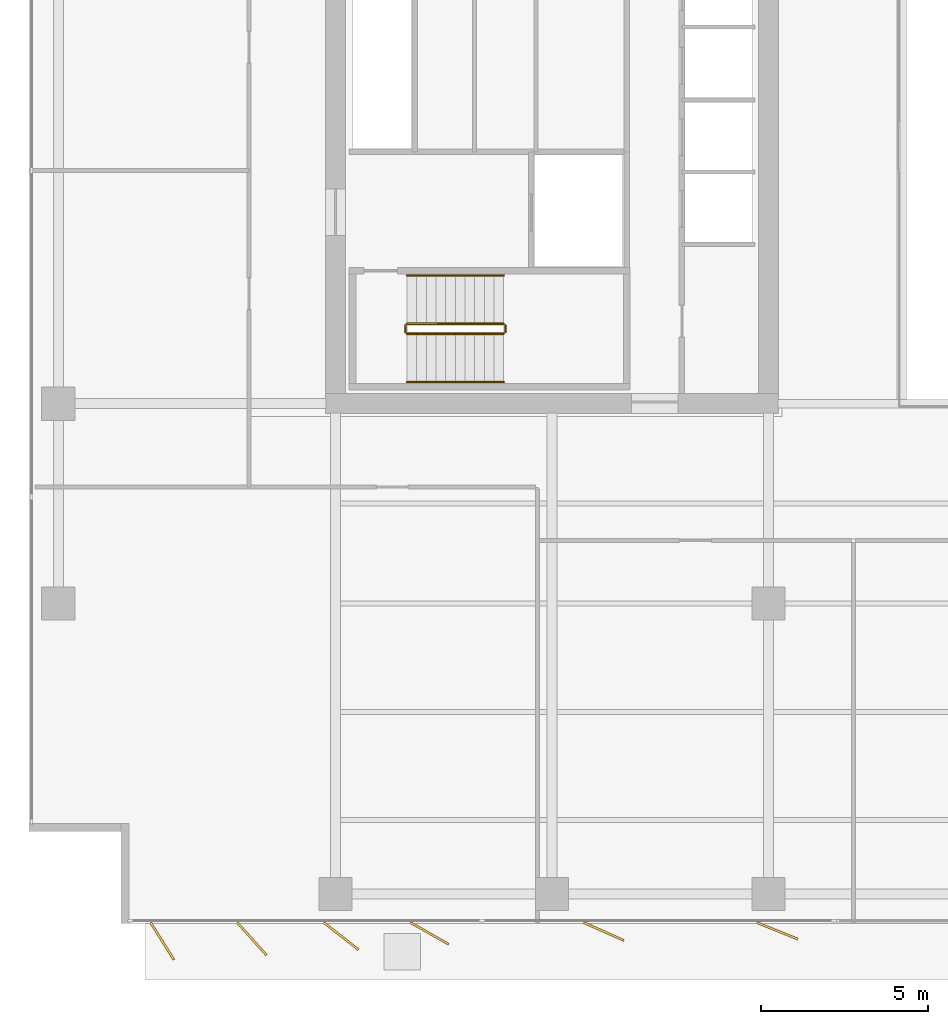
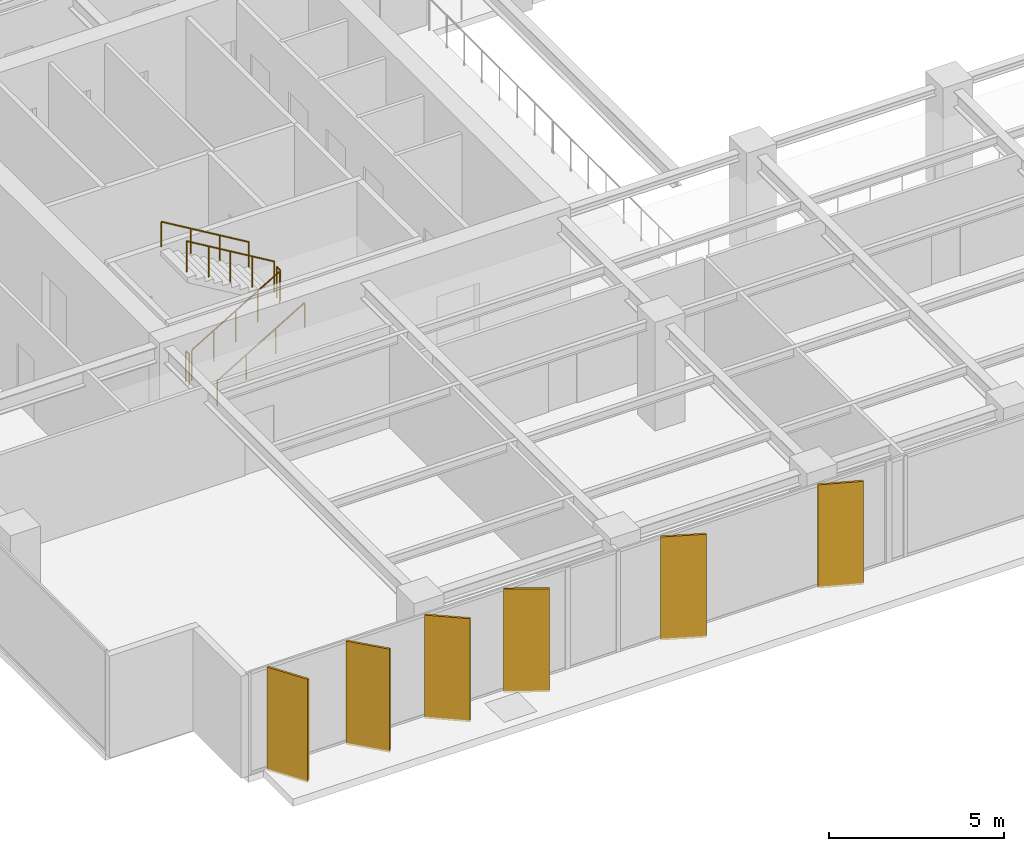
# One storey, part 19 of 22: 6 railings, 6 shading devices.
"""IFC4 building model written with IfcOpenShell, lengths in metres."""

from ifc_helpers import new_model, si_unit, direction, frame, origin, origin_2d, place, context, subcontext, project, spatial, rectangle, circle, extrude, material, layer, layer_set, type_object, element, save


model = new_model("IFC4")

# Units and contexts
model_context = context("Model", 3, precision=1e-05, world=origin(), true_north=direction((0.0, 1.0)))
body_context = subcontext(model_context, "Body", "Model", "MODEL_VIEW")
ifc_project = project(units=[si_unit("LENGTHUNIT", "METRE"), si_unit("AREAUNIT", "SQUARE_METRE"), si_unit("VOLUMEUNIT", "CUBIC_METRE"), si_unit("PLANEANGLEUNIT", "RADIAN"), si_unit("MASSUNIT", "GRAM", prefix="KILO")], contexts=[model_context])

# Site, building, storey
site_placement = place(None, origin())
site = spatial("IfcSite", under=ifc_project, at=site_placement, CompositionType="ELEMENT")
building_placement = place(site_placement, origin())
building = spatial("IfcBuilding", under=site, at=building_placement, Name="Putna Gate Headquarters", CompositionType="ELEMENT")
storey_placement = place(building_placement, frame((0.0, 0.0, 144.199951171875)))
storey = spatial("IfcBuildingStorey", under=building, at=storey_placement, Name="L35", CompositionType="ELEMENT", Elevation=144.199951171875)

# Railings
ifc_material_1 = material(Name="Powder-coated steel stair guardrail", Category="steel")
railing_type_1 = type_object("IfcRailingType", Name="RAIL-STAIR-GUARD-1100", PredefinedType="GUARDRAIL", material=ifc_material_1)
railing_1_placement = place(storey_placement, frame((15.14990234375, 21.10009765625, 0.1728515625)))
element("IfcRailing", 1, at=railing_1_placement, inside=storey, type_object=railing_type_1, Name="L35 ST1 stair guard 1", PredefinedType="GUARDRAIL", context=body_context, shape_type="SweptSolid", body=[
    extrude(circle(Radius=0.02392578125, at=origin_2d()), frame((0.0, 0.0, 1.076171875), z_axis=(0.859160404282, 0.0, 0.51170636083), x_axis=(0.0, 1.0, 0.0)), (0.0, 0.0, 1.0), 3.37548828125),
    extrude(circle(Radius=0.02099609375, at=origin_2d()), origin(), (0.0, 0.0, 1.0), 1.052001953125),
    extrude(circle(Radius=0.02099609375, at=origin_2d()), frame((0.72509765625, 0.0, 0.431884765625)), (0.0, 0.0, 1.0), 1.052001953125),
    extrude(circle(Radius=0.02099609375, at=origin_2d()), frame((1.4501953125, 0.0, 0.86376953125)), (0.0, 0.0, 1.0), 1.052001953125),
    extrude(circle(Radius=0.02099609375, at=origin_2d()), frame((2.175048828125, 0.0, 1.29541015625)), (0.0, 0.0, 1.0), 1.052001953125),
    extrude(circle(Radius=0.02099609375, at=origin_2d()), frame((2.900146484375, 0.0, 1.727294921875)), (0.0, 0.0, 1.0), 1.052001953125),
])
railing_2_placement = place(storey_placement, frame((18.10009765625, 21.14990234375, 1.900146484375)))
element("IfcRailing", 2, at=railing_2_placement, inside=storey, type_object=railing_type_1, Name="L35 ST1 stair guard 2", PredefinedType="GUARDRAIL", context=body_context, shape_type="SweptSolid", body=[
    extrude(circle(Radius=0.02392578125, at=origin_2d()), frame((0.0, 0.0, 1.076171875), z_axis=(0.0, 1.0, 0.0), x_axis=(-1.0, 0.0, 0.0)), (0.0, 0.0, 1.0), 0.2001953125),
    extrude(circle(Radius=0.02099609375, at=origin_2d()), origin(), (0.0, 0.0, 1.0), 1.052001953125),
    extrude(circle(Radius=0.02099609375, at=origin_2d()), frame((0.0, 0.2001953125, 0.0)), (0.0, 0.0, 1.0), 1.052001953125),
])
railing_3_placement = place(storey_placement, frame((18.050048828125, 21.39990234375, 2.07275390625)))
element("IfcRailing", 3, at=railing_3_placement, inside=storey, type_object=railing_type_1, Name="L35 ST1 stair guard 3", PredefinedType="GUARDRAIL", context=body_context, shape_type="SweptSolid", body=[
    extrude(circle(Radius=0.02392578125, at=origin_2d()), frame((0.0, 0.0, 1.076171875), z_axis=(-0.859160404282, 0.0, 0.51170636083), x_axis=(0.0, -1.0, 0.0)), (0.0, 0.0, 1.0), 3.37548828125),
    extrude(circle(Radius=0.02099609375, at=origin_2d()), origin(), (0.0, 0.0, 1.0), 1.052001953125),
    extrude(circle(Radius=0.02099609375, at=origin_2d()), frame((-0.72509765625, 0.0, 0.431884765625)), (0.0, 0.0, 1.0), 1.052001953125),
    extrude(circle(Radius=0.02099609375, at=origin_2d()), frame((-1.4501953125, 0.0, 0.86376953125)), (0.0, 0.0, 1.0), 1.052001953125),
    extrude(circle(Radius=0.02099609375, at=origin_2d()), frame((-2.175048828125, 0.0, 1.29541015625)), (0.0, 0.0, 1.0), 1.052001953125),
    extrude(circle(Radius=0.02099609375, at=origin_2d()), frame((-2.900146484375, 0.0, 1.727294921875)), (0.0, 0.0, 1.0), 1.052001953125),
])
railing_4_placement = place(storey_placement, frame((15.10009765625, 21.14990234375, 0.0)))
element("IfcRailing", 4, at=railing_4_placement, inside=storey, type_object=railing_type_1, Name="L35 ST1 stair guard 4", PredefinedType="GUARDRAIL", context=body_context, shape_type="SweptSolid", body=[
    extrude(circle(Radius=0.02392578125, at=origin_2d()), frame((0.0, 0.0, 1.076171875), z_axis=(0.0, 1.0, 0.0), x_axis=(-1.0, 0.0, 0.0)), (0.0, 0.0, 1.0), 0.2001953125),
    extrude(circle(Radius=0.02099609375, at=origin_2d()), origin(), (0.0, 0.0, 1.0), 1.052001953125),
    extrude(circle(Radius=0.02099609375, at=origin_2d()), frame((0.0, 0.2001953125, 0.0)), (0.0, 0.0, 1.0), 1.052001953125),
])
ifc_material_2 = material(Name="Brushed stainless steel handrail", Category="steel")
railing_type_2 = type_object("IfcRailingType", Name="RAIL-STAIR-HAND-900", PredefinedType="HANDRAIL", material=ifc_material_2)
railing_5_placement = place(storey_placement, frame((15.14990234375, 19.64990234375, 0.1728515625)))
element("IfcRailing", 5, at=railing_5_placement, inside=storey, type_object=railing_type_2, Name="L35 ST1 stair handrail 1", PredefinedType="HANDRAIL", context=body_context, shape_type="SweptSolid", body=[
    extrude(circle(Radius=0.02392578125, at=origin_2d()), frame((0.0, 0.0, 0.8759765625), z_axis=(0.859160404282, 0.0, 0.51170636083), x_axis=(0.0, 1.0, 0.0)), (0.0, 0.0, 1.0), 3.37548828125),
    extrude(circle(Radius=0.02099609375, at=origin_2d()), origin(), (0.0, 0.0, 1.0), 0.851806640625),
    extrude(circle(Radius=0.02099609375, at=origin_2d()), frame((0.966796875, 0.0, 0.57568359375)), (0.0, 0.0, 1.0), 0.851806640625),
    extrude(circle(Radius=0.02099609375, at=origin_2d()), frame((1.933349609375, 0.0, 1.151611328125)), (0.0, 0.0, 1.0), 0.851806640625),
    extrude(circle(Radius=0.02099609375, at=origin_2d()), frame((2.900146484375, 0.0, 1.727294921875)), (0.0, 0.0, 1.0), 0.851806640625),
])
railing_6_placement = place(storey_placement, frame((18.050048828125, 22.85009765625, 2.07275390625)))
element("IfcRailing", 6, at=railing_6_placement, inside=storey, type_object=railing_type_2, Name="L35 ST1 stair handrail 2", PredefinedType="HANDRAIL", context=body_context, shape_type="SweptSolid", body=[
    extrude(circle(Radius=0.02392578125, at=origin_2d()), frame((0.0, 0.0, 0.8759765625), z_axis=(-0.859160404282, 0.0, 0.51170636083), x_axis=(0.0, -1.0, 0.0)), (0.0, 0.0, 1.0), 3.37548828125),
    extrude(circle(Radius=0.02099609375, at=origin_2d()), origin(), (0.0, 0.0, 1.0), 0.851806640625),
    extrude(circle(Radius=0.02099609375, at=origin_2d()), frame((-0.966796875, 0.0, 0.57568359375)), (0.0, 0.0, 1.0), 0.851806640625),
    extrude(circle(Radius=0.02099609375, at=origin_2d()), frame((-1.933349609375, 0.0, 1.151611328125)), (0.0, 0.0, 1.0), 0.851806640625),
    extrude(circle(Radius=0.02099609375, at=origin_2d()), frame((-2.900146484375, 0.0, 1.727294921875)), (0.0, 0.0, 1.0), 0.851806640625),
])

# Shading devices
ifc_material_3 = material(Name="Anodised architectural bronze aluminium fin", Category="aluminium")
ifc_layer = layer(ifc_material_3, 0.06494140625)
ifc_layer_set = layer_set([ifc_layer], Name="Anodised architectural bronze aluminium fin")
shading_device_type = type_object("IfcShadingDeviceType", Name="SHADE-BRONZE-FIN-1320", PredefinedType="USERDEFINED", material=ifc_layer_set)
for number, where, z_axis, x_axis, name in (
    (7, (7.80029296875, 2.865478515625, -0.02001953125), (0.0, 0.0, 1.0), (0.530659123936, -0.847585331506, 0.0), "L35 Bronze Vertical Shading Fin S1"),
    (8, (10.49169921875, 2.9345703125, -0.02001953125), (0.0, 0.0, 1.0), (0.669130606359, -0.743144825477, 0.0), "L35 Bronze Vertical Shading Fin S2"),
    (9, (13.169677734375, 3.018310546875, -0.02001953125), (0.0, 0.0, 1.0), (0.787473187632, -0.616348909921, 0.0), "L35 Bronze Vertical Shading Fin S3"),
    (10, (15.82373046875, 3.098876953125, -0.02001953125), (0.0, 0.0, 1.0), (0.869322458298, -0.494245347472, 0.0), "L35 Bronze Vertical Shading Fin S4"),
    (11, (21.052978515625, 3.15673828125, -0.02001953125), (0.0, 0.0, 1.0), (0.913687379856, -0.40641773078, 0.0), "L35 Bronze Vertical Shading Fin S5"),
    (12, (26.261962890625, 3.177734375, -0.02001953125), (0.0, 0.0, 1.0), (0.927183854567, -0.374606593416, 0.0), "L35 Bronze Vertical Shading Fin S6"),
):
    element("IfcShadingDevice", number, at=place(storey_placement, frame(where, z_axis=z_axis, x_axis=x_axis)), inside=storey, type_object=shading_device_type, Name=name, ObjectType="FIN", PredefinedType="USERDEFINED", context=body_context, shape_type="SweptSolid", body=[
        extrude(rectangle(XDim=1.320068359375, YDim=0.06494140625, at=origin_2d()), origin(), (0.0, 0.0, 1.0), 3.612060546875),
    ])

save(model, "model.ifc")
